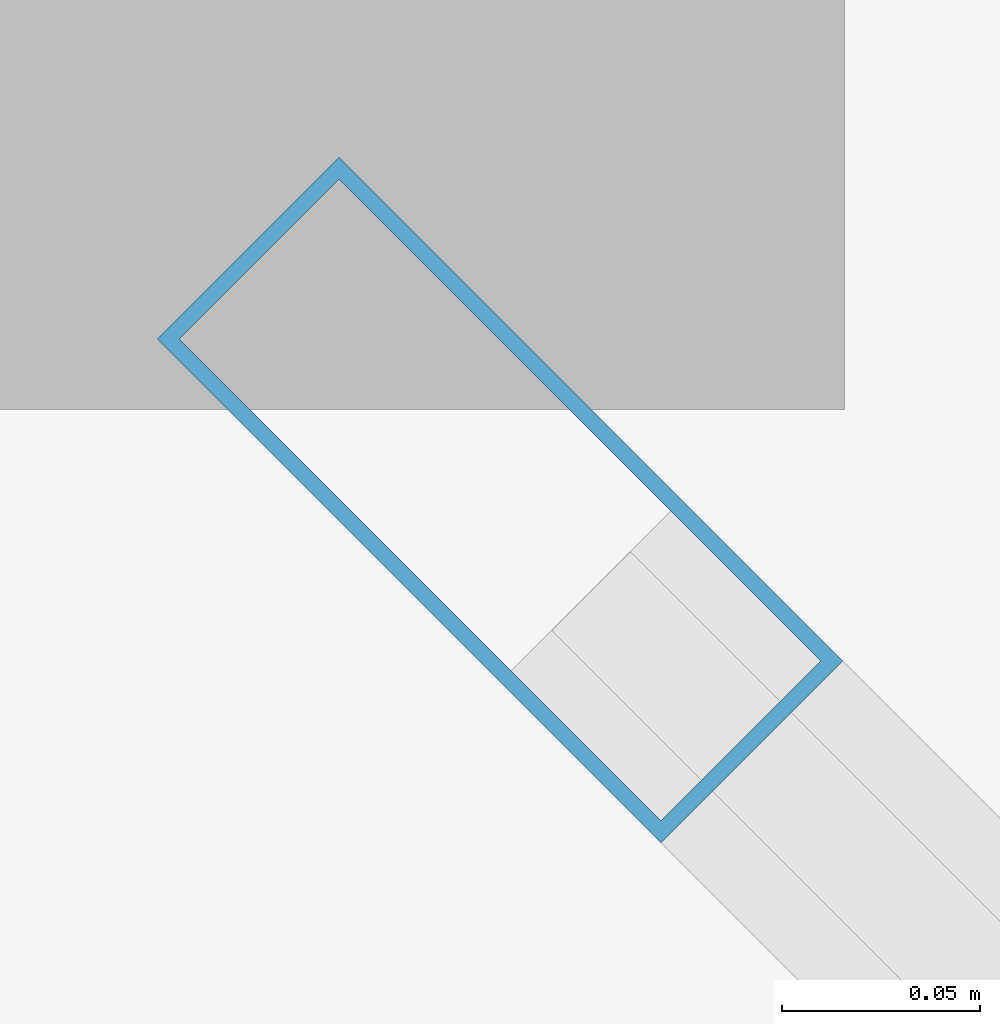
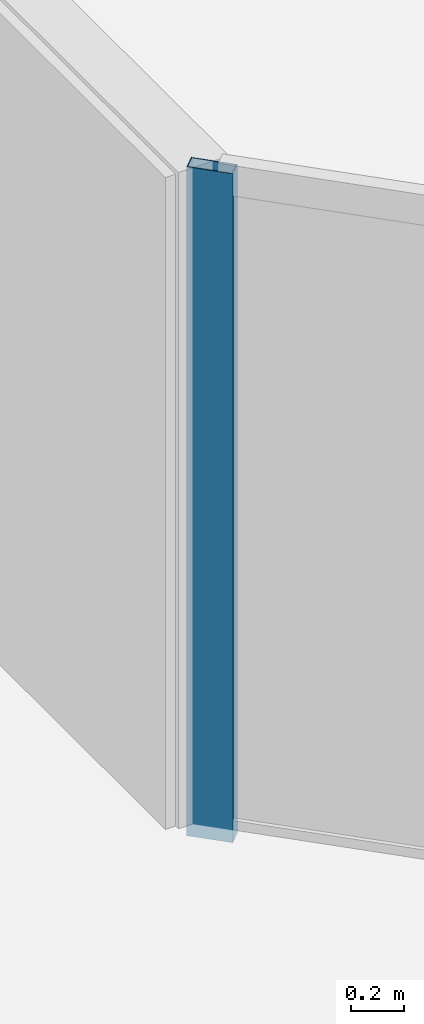
# One storey, part 7 of 30: 1 member, 1 element without a shape of its own.
"""IFC4 building model written with IfcOpenShell, lengths in metres."""

from ifc_helpers import new_model, si_unit, direction, frame, origin, origin_2d, place, context, subcontext, project, spatial, hollow_rectangle, extrude, material, layer, layer_set, material_profile, profile_set, type_object, element, aggregate, save


model = new_model("IFC4")

# Units and contexts
model_context = context("Model", 3, precision=1e-05, world=origin(), true_north=direction((0.0, 1.0)))
body_context = subcontext(model_context, "Body", "Model", "MODEL_VIEW")
ifc_project = project(units=[si_unit("LENGTHUNIT", "METRE"), si_unit("AREAUNIT", "SQUARE_METRE"), si_unit("VOLUMEUNIT", "CUBIC_METRE"), si_unit("PLANEANGLEUNIT", "RADIAN"), si_unit("MASSUNIT", "GRAM", prefix="KILO")], contexts=[model_context])

# Site, building, storey
site_placement = place(None, origin())
site = spatial("IfcSite", under=ifc_project, at=site_placement, CompositionType="ELEMENT")
building_placement = place(site_placement, origin())
building = spatial("IfcBuilding", under=site, at=building_placement, Name="Tanjung Sevakor Pilgrim Tower", CompositionType="ELEMENT")
storey_placement = place(building_placement, frame((0.0, 0.0, 229.35009765625)))
storey = spatial("IfcBuildingStorey", under=building, at=storey_placement, Name="L64", CompositionType="ELEMENT", Elevation=229.35009765625)

# Curtain wall, member
ifc_material_1 = material(Name="Aluminium 6063-T6 and Low-E Glass", Category="aluminium")
ifc_layer = layer(ifc_material_1, 0.179931640625)
ifc_layer_set = layer_set([ifc_layer], Name="CW-SYS-CHAM")
curtain_wall_type = type_object("IfcCurtainWallType", Name="CW-SYS-CHAM", PredefinedType="NOTDEFINED", material=ifc_layer_set)
curtain_wall_placement = place(storey_placement, origin())
curtain_wall = element("IfcCurtainWall", 1, at=curtain_wall_placement, inside=storey, type_object=curtain_wall_type, Name="L64 Curtain Wall CW-CHM-L64-EAST-7", PredefinedType="NOTDEFINED")
ifc_material_2 = material(Name="Aluminium 6063-T6", Category="aluminium")
ifc_material_profile = material_profile(ifc_material_2, hollow_rectangle(XDim=0.06494140625, YDim=0.179931640625, WallThickness=0.00390625, at=origin_2d()))
ifc_profile_set = profile_set([ifc_material_profile], Name="Aluminium 6063-T6")
member_type = type_object("IfcMemberType", Name="TYPE-CWM-1", PredefinedType="MULLION", material=ifc_profile_set)
member_placement = place(storey_placement, frame((52.23291015625, 31.22265625, 0.0), z_axis=(0.0, 0.0, 1.0), x_axis=(0.707106781187, 0.707106781187, 0.0)))
member = element("IfcMember", 2, at=member_placement, type_object=member_type, Name="CW-CHM mullion 1", PredefinedType="MULLION", context=body_context, shape_type="SweptSolid", body=[
    extrude(hollow_rectangle(XDim=0.06494140625, YDim=0.179931640625, WallThickness=0.00390625, at=origin_2d()), origin(), (0.0, 0.0, 1.0), 3.079833984375),
])
aggregate(curtain_wall, [member])

save(model, "model.ifc")
